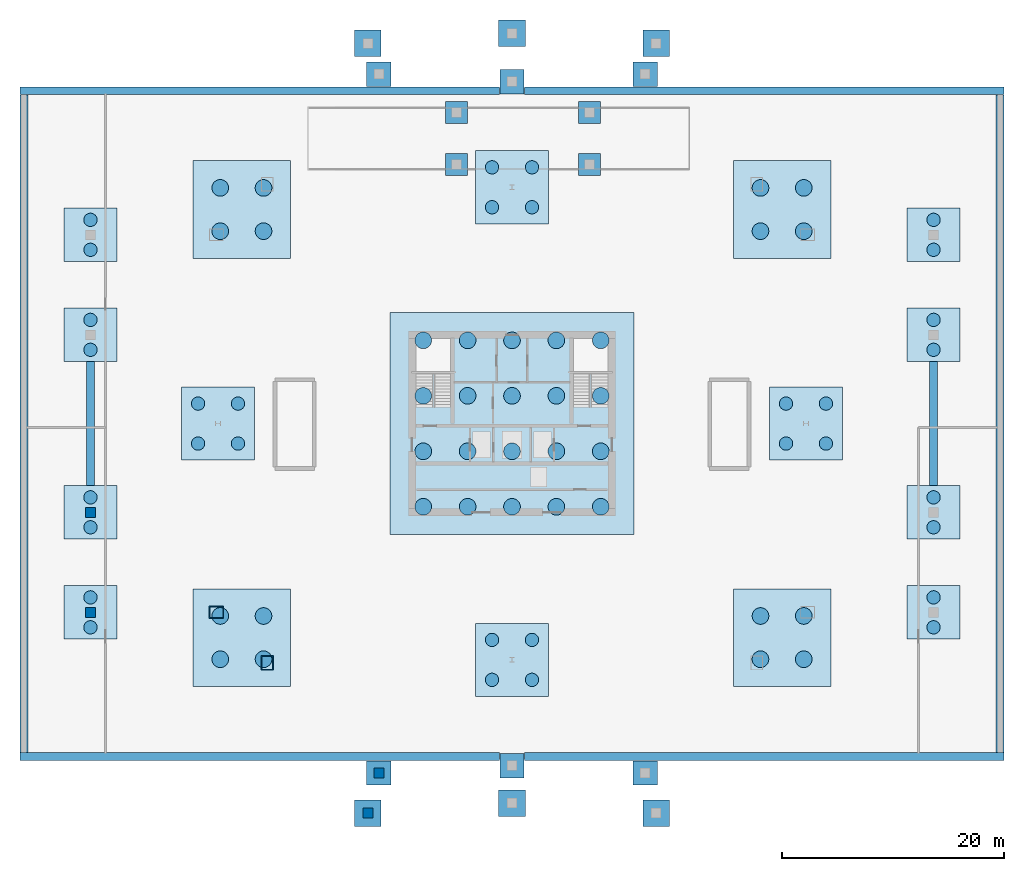
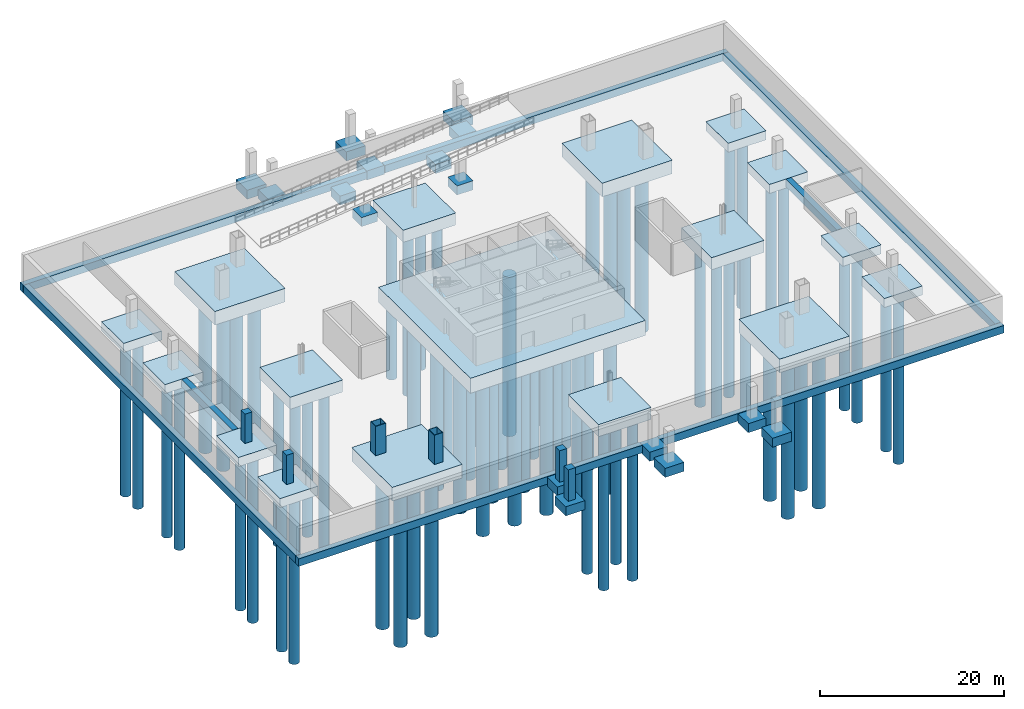
# One storey, part 1 of 7: 68 piles, 41 footings, 6 columns.
"""IFC4 building model written with IfcOpenShell, lengths in metres."""

from ifc_helpers import new_model, si_unit, direction, frame, origin, origin_2d, place, context, subcontext, project, spatial, polyline, rectangle, hollow_rectangle, circle, outline, extrude, material, material_profile, profile_set, type_object, element, save


model = new_model("IFC4")

# Units and contexts
model_context = context("Model", 3, precision=1e-05, world=origin(), true_north=direction((0.0, 1.0)))
body_context = subcontext(model_context, "Body", "Model", "MODEL_VIEW")
ifc_project = project(units=[si_unit("LENGTHUNIT", "METRE"), si_unit("AREAUNIT", "SQUARE_METRE"), si_unit("VOLUMEUNIT", "CUBIC_METRE"), si_unit("PLANEANGLEUNIT", "RADIAN"), si_unit("MASSUNIT", "GRAM", prefix="KILO")], contexts=[model_context])

# Site, building, storey
site_placement = place(None, origin())
site = spatial("IfcSite", under=ifc_project, at=site_placement, CompositionType="ELEMENT")
building_placement = place(site_placement, origin())
building = spatial("IfcBuilding", under=site, at=building_placement, Name="Caelvoria Tower", CompositionType="ELEMENT")
storey_placement = place(building_placement, frame((0.0, 0.0, -8.39990234375)))
storey = spatial("IfcBuildingStorey", under=building, at=storey_placement, Name="B2", CompositionType="ELEMENT", Elevation=-8.39990234375)

# Piles
ifc_material_1 = material(Name="Concrete C40/50", Category="concrete")
ifc_material_profile_1 = material_profile(ifc_material_1, circle(Radius=0.60009765625, at=origin_2d()), Name="Concrete C40/50")
ifc_profile_set_1 = profile_set([ifc_material_profile_1], Name="PILE_D1200 - Concrete C40/50")
pile_type_1 = type_object("IfcPileType", Name="Bored Pile D1200 Concrete C40/50", PredefinedType="BORED", material=ifc_profile_set_1)
for number, where, z_axis, x_axis, name in (
    (1, (44.199951171875, 8.89990234375, -1.5), (0.0, 0.0, -1.0), (1.0, 0.0, 0.0), "Cardinal Cap Bored Pile 37"),
    (2, (44.199951171875, 12.5, -1.5), (0.0, 0.0, -1.0), (1.0, 0.0, 0.0), "Cardinal Cap Bored Pile 38"),
    (3, (47.800048828125, 8.89990234375, -1.5), (0.0, 0.0, -1.0), (1.0, 0.0, 0.0), "Cardinal Cap Bored Pile 39"),
    (4, (47.800048828125, 12.5, -1.5), (0.0, 0.0, -1.0), (1.0, 0.0, 0.0), "Cardinal Cap Bored Pile 40"),
    (5, (70.699951171875, 30.199951171875, -1.5), (0.0, 0.0, -1.0), (1.0, 0.0, 0.0), "Cardinal Cap Bored Pile 41"),
    (6, (70.699951171875, 33.800048828125, -1.5), (0.0, 0.0, -1.0), (1.0, 0.0, 0.0), "Cardinal Cap Bored Pile 42"),
    (7, (74.300048828125, 30.199951171875, -1.5), (0.0, 0.0, -1.0), (1.0, 0.0, 0.0), "Cardinal Cap Bored Pile 43"),
    (8, (74.300048828125, 33.800048828125, -1.5), (0.0, 0.0, -1.0), (1.0, 0.0, 0.0), "Cardinal Cap Bored Pile 44"),
    (9, (44.199951171875, 51.5, -1.5), (0.0, 0.0, -1.0), (1.0, 0.0, 0.0), "Cardinal Cap Bored Pile 45"),
    (10, (44.199951171875, 55.10009765625, -1.5), (0.0, 0.0, -1.0), (1.0, 0.0, 0.0), "Cardinal Cap Bored Pile 46"),
    (11, (47.800048828125, 51.5, -1.5), (0.0, 0.0, -1.0), (1.0, 0.0, 0.0), "Cardinal Cap Bored Pile 47"),
    (12, (47.800048828125, 55.10009765625, -1.5), (0.0, 0.0, -1.0), (1.0, 0.0, 0.0), "Cardinal Cap Bored Pile 48"),
    (13, (17.699951171875, 30.199951171875, -1.5), (0.0, 0.0, -1.0), (1.0, 0.0, 0.0), "Cardinal Cap Bored Pile 49"),
    (14, (17.699951171875, 33.800048828125, -1.5), (0.0, 0.0, -1.0), (1.0, 0.0, 0.0), "Cardinal Cap Bored Pile 50"),
    (15, (21.300048828125, 30.199951171875, -1.5), (0.0, 0.0, -1.0), (1.0, 0.0, 0.0), "Cardinal Cap Bored Pile 51"),
    (16, (21.300048828125, 33.800048828125, -1.5), (0.0, 0.0, -1.0), (1.0, 0.0, 0.0), "Cardinal Cap Bored Pile 52"),
):
    element("IfcPile", number, at=place(storey_placement, frame(where, z_axis=z_axis, x_axis=x_axis)), inside=storey, type_object=pile_type_1, Name=name, PredefinedType="BORED", context=body_context, shape_type="SweptSolid", body=[
        extrude(circle(Radius=0.60009765625, at=origin_2d()), origin(), (0.0, 0.0, 1.0), 21.60009765625),
    ])
for number, where, z_axis, x_axis, name in (
    (17, (8.0, 13.634521484375, -1.10009765625), (0.0, 0.0, -1.0), (1.0, 0.0, 0.0), "Podium Bored Pile 53"),
    (18, (8.0, 16.33447265625, -1.10009765625), (0.0, 0.0, -1.0), (1.0, 0.0, 0.0), "Podium Bored Pile 54"),
    (19, (8.0, 22.64990234375, -1.10009765625), (0.0, 0.0, -1.0), (1.0, 0.0, 0.0), "Podium Bored Pile 55"),
    (20, (8.0, 25.35009765625, -1.10009765625), (0.0, 0.0, -1.0), (1.0, 0.0, 0.0), "Podium Bored Pile 56"),
    (21, (8.0, 38.64990234375, -1.10009765625), (0.0, 0.0, -1.0), (1.0, 0.0, 0.0), "Podium Bored Pile 57"),
    (22, (8.0, 41.35009765625, -1.10009765625), (0.0, 0.0, -1.0), (1.0, 0.0, 0.0), "Podium Bored Pile 58"),
    (23, (8.0, 47.66552734375, -1.10009765625), (0.0, 0.0, -1.0), (1.0, 0.0, 0.0), "Podium Bored Pile 59"),
    (24, (8.0, 50.365478515625, -1.10009765625), (0.0, 0.0, -1.0), (1.0, 0.0, 0.0), "Podium Bored Pile 60"),
    (25, (84.0, 13.634521484375, -1.10009765625), (0.0, 0.0, -1.0), (1.0, 0.0, 0.0), "Podium Bored Pile 61"),
    (26, (84.0, 16.33447265625, -1.10009765625), (0.0, 0.0, -1.0), (1.0, 0.0, 0.0), "Podium Bored Pile 62"),
    (27, (84.0, 22.64990234375, -1.10009765625), (0.0, 0.0, -1.0), (1.0, 0.0, 0.0), "Podium Bored Pile 63"),
    (28, (84.0, 25.35009765625, -1.10009765625), (0.0, 0.0, -1.0), (1.0, 0.0, 0.0), "Podium Bored Pile 64"),
    (29, (84.0, 38.64990234375, -1.10009765625), (0.0, 0.0, -1.0), (1.0, 0.0, 0.0), "Podium Bored Pile 65"),
    (30, (84.0, 41.35009765625, -1.10009765625), (0.0, 0.0, -1.0), (1.0, 0.0, 0.0), "Podium Bored Pile 66"),
    (31, (84.0, 47.66552734375, -1.10009765625), (0.0, 0.0, -1.0), (1.0, 0.0, 0.0), "Podium Bored Pile 67"),
    (32, (84.0, 50.365478515625, -1.10009765625), (0.0, 0.0, -1.0), (1.0, 0.0, 0.0), "Podium Bored Pile 68"),
):
    element("IfcPile", number, at=place(storey_placement, frame(where, z_axis=z_axis, x_axis=x_axis)), inside=storey, type_object=pile_type_1, Name=name, PredefinedType="BORED", context=body_context, shape_type="SweptSolid", body=[
        extrude(circle(Radius=0.60009765625, at=origin_2d()), origin(), (0.0, 0.0, 1.0), 22.0),
    ])
ifc_material_profile_2 = material_profile(ifc_material_1, circle(Radius=0.75, at=origin_2d()), Name="Concrete C40/50")
ifc_profile_set_2 = profile_set([ifc_material_profile_2], Name="PILE_D1500 - Concrete C40/50")
pile_type_2 = type_object("IfcPileType", Name="Bored Pile D1500 Concrete C40/50", PredefinedType="BORED", material=ifc_profile_set_2)
for number, where, z_axis, x_axis, name in (
    (33, (38.0, 24.5, -1.900146484375), (0.0, 0.0, -1.0), (1.0, 0.0, 0.0), "Core Bored Pile 01"),
    (34, (38.0, 29.5, -1.900146484375), (0.0, 0.0, -1.0), (1.0, 0.0, 0.0), "Core Bored Pile 02"),
    (35, (38.0, 34.5, -1.900146484375), (0.0, 0.0, -1.0), (1.0, 0.0, 0.0), "Core Bored Pile 03"),
    (36, (38.0, 39.5, -1.900146484375), (0.0, 0.0, -1.0), (1.0, 0.0, 0.0), "Core Bored Pile 04"),
    (37, (42.0, 24.5, -1.900146484375), (0.0, 0.0, -1.0), (1.0, 0.0, 0.0), "Core Bored Pile 05"),
    (38, (42.0, 29.5, -1.900146484375), (0.0, 0.0, -1.0), (1.0, 0.0, 0.0), "Core Bored Pile 06"),
    (39, (42.0, 34.5, -1.900146484375), (0.0, 0.0, -1.0), (1.0, 0.0, 0.0), "Core Bored Pile 07"),
    (40, (42.0, 39.5, -1.900146484375), (0.0, 0.0, -1.0), (1.0, 0.0, 0.0), "Core Bored Pile 08"),
    (41, (46.0, 24.5, -1.900146484375), (0.0, 0.0, -1.0), (1.0, 0.0, 0.0), "Core Bored Pile 09"),
    (42, (46.0, 29.5, -1.900146484375), (0.0, 0.0, -1.0), (1.0, 0.0, 0.0), "Core Bored Pile 10"),
    (43, (46.0, 34.5, -1.900146484375), (0.0, 0.0, -1.0), (1.0, 0.0, 0.0), "Core Bored Pile 11"),
    (44, (46.0, 39.5, -1.900146484375), (0.0, 0.0, -1.0), (1.0, 0.0, 0.0), "Core Bored Pile 12"),
    (45, (50.0, 24.5, -1.900146484375), (0.0, 0.0, -1.0), (1.0, 0.0, 0.0), "Core Bored Pile 13"),
    (46, (50.0, 29.5, -1.900146484375), (0.0, 0.0, -1.0), (1.0, 0.0, 0.0), "Core Bored Pile 14"),
    (47, (50.0, 34.5, -1.900146484375), (0.0, 0.0, -1.0), (1.0, 0.0, 0.0), "Core Bored Pile 15"),
    (48, (50.0, 39.5, -1.900146484375), (0.0, 0.0, -1.0), (1.0, 0.0, 0.0), "Core Bored Pile 16"),
    (49, (54.0, 24.5, -1.900146484375), (0.0, 0.0, -1.0), (1.0, 0.0, 0.0), "Core Bored Pile 17"),
    (50, (54.0, 29.5, -1.900146484375), (0.0, 0.0, -1.0), (1.0, 0.0, 0.0), "Core Bored Pile 18"),
    (51, (54.0, 34.5, -1.900146484375), (0.0, 0.0, -1.0), (1.0, 0.0, 0.0), "Core Bored Pile 19"),
    (52, (54.0, 39.5, -1.900146484375), (0.0, 0.0, -1.0), (1.0, 0.0, 0.0), "Core Bored Pile 20"),
):
    element("IfcPile", number, at=place(storey_placement, frame(where, z_axis=z_axis, x_axis=x_axis)), inside=storey, type_object=pile_type_2, Name=name, PredefinedType="BORED", context=body_context, shape_type="SweptSolid", body=[
        extrude(circle(Radius=0.75, at=origin_2d()), origin(), (0.0, 0.0, 1.0), 21.199951171875),
    ])
for number, where, z_axis, x_axis, name in (
    (53, (19.700927734375, 10.7568359375, -1.7001953125), (0.0, 0.0, -1.0), (1.0, 0.0, 0.0), "Mega Cap Bored Pile 21"),
    (54, (19.700927734375, 14.65673828125, -1.7001953125), (0.0, 0.0, -1.0), (1.0, 0.0, 0.0), "Mega Cap Bored Pile 22"),
    (55, (23.60107421875, 10.7568359375, -1.7001953125), (0.0, 0.0, -1.0), (1.0, 0.0, 0.0), "Mega Cap Bored Pile 23"),
    (56, (23.60107421875, 14.65673828125, -1.7001953125), (0.0, 0.0, -1.0), (1.0, 0.0, 0.0), "Mega Cap Bored Pile 24"),
    (57, (68.399169921875, 10.7568359375, -1.7001953125), (0.0, 0.0, -1.0), (1.0, 0.0, 0.0), "Mega Cap Bored Pile 25"),
    (58, (68.399169921875, 14.65673828125, -1.7001953125), (0.0, 0.0, -1.0), (1.0, 0.0, 0.0), "Mega Cap Bored Pile 26"),
    (59, (72.299072265625, 10.7568359375, -1.7001953125), (0.0, 0.0, -1.0), (1.0, 0.0, 0.0), "Mega Cap Bored Pile 27"),
    (60, (72.299072265625, 14.65673828125, -1.7001953125), (0.0, 0.0, -1.0), (1.0, 0.0, 0.0), "Mega Cap Bored Pile 28"),
    (61, (68.399169921875, 49.343017578125, -1.7001953125), (0.0, 0.0, -1.0), (1.0, 0.0, 0.0), "Mega Cap Bored Pile 29"),
    (62, (68.399169921875, 53.2431640625, -1.7001953125), (0.0, 0.0, -1.0), (1.0, 0.0, 0.0), "Mega Cap Bored Pile 30"),
    (63, (72.299072265625, 49.343017578125, -1.7001953125), (0.0, 0.0, -1.0), (1.0, 0.0, 0.0), "Mega Cap Bored Pile 31"),
    (64, (72.299072265625, 53.2431640625, -1.7001953125), (0.0, 0.0, -1.0), (1.0, 0.0, 0.0), "Mega Cap Bored Pile 32"),
    (65, (19.700927734375, 49.343017578125, -1.7001953125), (0.0, 0.0, -1.0), (1.0, 0.0, 0.0), "Mega Cap Bored Pile 33"),
    (66, (19.700927734375, 53.2431640625, -1.7001953125), (0.0, 0.0, -1.0), (1.0, 0.0, 0.0), "Mega Cap Bored Pile 34"),
    (67, (23.60107421875, 49.343017578125, -1.7001953125), (0.0, 0.0, -1.0), (1.0, 0.0, 0.0), "Mega Cap Bored Pile 35"),
    (68, (23.60107421875, 53.2431640625, -1.7001953125), (0.0, 0.0, -1.0), (1.0, 0.0, 0.0), "Mega Cap Bored Pile 36"),
):
    element("IfcPile", number, at=place(storey_placement, frame(where, z_axis=z_axis, x_axis=x_axis)), inside=storey, type_object=pile_type_2, Name=name, PredefinedType="BORED", context=body_context, shape_type="SweptSolid", body=[
        extrude(circle(Radius=0.75, at=origin_2d()), origin(), (0.0, 0.0, 1.0), 21.39990234375),
    ])

# Footings
footing_type_1 = type_object("IfcFootingType", Name="Core Piled Raft Mat Cap 2400", PredefinedType="PILE_CAP", material=ifc_material_1)
footing_1_placement = place(storey_placement, frame((0.0, 0.0, -2.0)))
element("IfcFooting", 69, at=footing_1_placement, inside=storey, type_object=footing_type_1, Name="Core Piled Raft Mat Cap", PredefinedType="PILE_CAP", context=body_context, shape_type="SweptSolid", body=[
    extrude(outline(polyline([(35.0, 22.0), (57.0, 22.0), (57.0, 42.0), (35.0, 42.0), (35.0, 22.0)])), origin(), (0.0, 0.0, 1.0), 2.0),
])
footing_type_2 = type_object("IfcFootingType", Name="Corner Combined Mega Pile Cap 8800x8800x1800", PredefinedType="PILE_CAP", material=ifc_material_1)
footing_2_placement = place(storey_placement, frame((0.0, 0.0, -1.800048828125)))
element("IfcFooting", 70, at=footing_2_placement, inside=storey, type_object=footing_type_2, Name="Corner Mega Pile Cap SW", PredefinedType="PILE_CAP", context=body_context, shape_type="SweptSolid", body=[
    extrude(outline(polyline([(17.2509765625, 8.306884765625), (26.051025390625, 8.306884765625), (26.051025390625, 17.106689453125), (17.2509765625, 17.106689453125), (17.2509765625, 8.306884765625)])), origin(), (0.0, 0.0, 1.0), 1.800048828125),
])
footing_3_placement = place(storey_placement, frame((0.0, 0.0, -1.800048828125)))
element("IfcFooting", 71, at=footing_3_placement, inside=storey, type_object=footing_type_2, Name="Corner Mega Pile Cap SE", PredefinedType="PILE_CAP", context=body_context, shape_type="SweptSolid", body=[
    extrude(outline(polyline([(65.94921875, 8.306884765625), (74.7490234375, 8.306884765625), (74.7490234375, 17.106689453125), (65.94921875, 17.106689453125), (65.94921875, 8.306884765625)])), origin(), (0.0, 0.0, 1.0), 1.800048828125),
])
footing_4_placement = place(storey_placement, frame((0.0, 0.0, -1.800048828125)))
element("IfcFooting", 72, at=footing_4_placement, inside=storey, type_object=footing_type_2, Name="Corner Mega Pile Cap NE", PredefinedType="PILE_CAP", context=body_context, shape_type="SweptSolid", body=[
    extrude(outline(polyline([(65.94921875, 46.89306640625), (74.7490234375, 46.89306640625), (74.7490234375, 55.693115234375), (65.94921875, 55.693115234375), (65.94921875, 46.89306640625)])), origin(), (0.0, 0.0, 1.0), 1.800048828125),
])
footing_5_placement = place(storey_placement, frame((0.0, 0.0, -1.800048828125)))
element("IfcFooting", 73, at=footing_5_placement, inside=storey, type_object=footing_type_2, Name="Corner Mega Pile Cap NW", PredefinedType="PILE_CAP", context=body_context, shape_type="SweptSolid", body=[
    extrude(outline(polyline([(17.2509765625, 46.89306640625), (26.051025390625, 46.89306640625), (26.051025390625, 55.693115234375), (17.2509765625, 55.693115234375), (17.2509765625, 46.89306640625)])), origin(), (0.0, 0.0, 1.0), 1.800048828125),
])
ifc_material_profile_3 = material_profile(ifc_material_1, rectangle(XDim=0.699951171875, YDim=1.0, at=origin_2d()), Name="Concrete C40/50")
ifc_profile_set_3 = profile_set([ifc_material_profile_3], Name="RC_GB_700X1000 - Concrete C40/50")
footing_type_3 = type_object("IfcFootingType", Name="Foundation Tie Beam 700x1000", PredefinedType="FOOTING_BEAM", material=ifc_profile_set_3)
for number, where, z_axis, x_axis, name in (
    (74, (1.64990234375, 2.0, -0.5), (1.0, 0.0, 0.0), (0.0, 1.0, 0.0), "Substructure Tie Footing S1"),
    (75, (47.1201171875, 2.0, -0.5), (1.0, 0.0, 0.0), (0.0, 1.0, 0.0), "Substructure Tie Footing S2"),
):
    element("IfcFooting", number, at=place(storey_placement, frame(where, z_axis=z_axis, x_axis=x_axis)), inside=storey, type_object=footing_type_3, Name=name, PredefinedType="FOOTING_BEAM", context=body_context, shape_type="SweptSolid", body=[
        extrude(rectangle(XDim=0.699951171875, YDim=1.0, at=origin_2d()), origin(), (0.0, 0.0, 1.0), 43.22998046875),
    ])
footing_6_placement = place(storey_placement, frame((90.0, 2.3701171875, -0.5), z_axis=(0.0, 1.0, 0.0), x_axis=(-1.0, 0.0, 0.0)))
element("IfcFooting", 76, at=footing_6_placement, inside=storey, type_object=footing_type_3, Name="Substructure Tie Footing E", PredefinedType="FOOTING_BEAM", context=body_context, shape_type="SweptSolid", body=[
    extrude(rectangle(XDim=0.699951171875, YDim=1.0, at=origin_2d()), origin(), (0.0, 0.0, 1.0), 59.259765625),
])
for number, where, z_axis, x_axis, name in (
    (77, (90.35009765625, 62.0, -0.5), (-1.0, 0.0, 0.0), (0.0, -1.0, 0.0), "Substructure Tie Footing N1"),
    (78, (44.8798828125, 62.0, -0.5), (-1.0, 0.0, 0.0), (0.0, -1.0, 0.0), "Substructure Tie Footing N2"),
):
    element("IfcFooting", number, at=place(storey_placement, frame(where, z_axis=z_axis, x_axis=x_axis)), inside=storey, type_object=footing_type_3, Name=name, PredefinedType="FOOTING_BEAM", context=body_context, shape_type="SweptSolid", body=[
        extrude(rectangle(XDim=0.699951171875, YDim=1.0, at=origin_2d()), origin(), (0.0, 0.0, 1.0), 43.22998046875),
    ])
footing_7_placement = place(storey_placement, frame((2.0, 61.6298828125, -0.5), z_axis=(0.0, -1.0, 0.0), x_axis=(1.0, 0.0, 0.0)))
element("IfcFooting", 79, at=footing_7_placement, inside=storey, type_object=footing_type_3, Name="Substructure Tie Footing W", PredefinedType="FOOTING_BEAM", context=body_context, shape_type="SweptSolid", body=[
    extrude(rectangle(XDim=0.699951171875, YDim=1.0, at=origin_2d()), origin(), (0.0, 0.0, 1.0), 59.259765625),
])
for number, where, z_axis, x_axis, name in (
    (80, (8.0, 26.419921875, -0.5), (0.0, 1.0, 0.0), (-1.0, 0.0, 0.0), "Substructure Tie Footing TW"),
    (81, (84.0, 26.419921875, -0.5), (0.0, 1.0, 0.0), (-1.0, 0.0, 0.0), "Substructure Tie Footing TE"),
):
    element("IfcFooting", number, at=place(storey_placement, frame(where, z_axis=z_axis, x_axis=x_axis)), inside=storey, type_object=footing_type_3, Name=name, PredefinedType="FOOTING_BEAM", context=body_context, shape_type="SweptSolid", body=[
        extrude(rectangle(XDim=0.699951171875, YDim=1.0, at=origin_2d()), origin(), (0.0, 0.0, 1.0), 11.16015625),
    ])
footing_type_4 = type_object("IfcFootingType", Name="Megaframe Pile Cap 6600x6600x1600", PredefinedType="PILE_CAP", material=ifc_material_1)
footing_8_placement = place(storey_placement, frame((0.0, 0.0, -1.60009765625)))
element("IfcFooting", 82, at=footing_8_placement, inside=storey, type_object=footing_type_4, Name="Cardinal Mega Pile Cap S", PredefinedType="PILE_CAP", context=body_context, shape_type="SweptSolid", body=[
    extrude(outline(polyline([(42.699951171875, 7.39990234375), (49.300048828125, 7.39990234375), (49.300048828125, 14.0), (42.699951171875, 14.0), (42.699951171875, 7.39990234375)])), origin(), (0.0, 0.0, 1.0), 1.60009765625),
])
footing_9_placement = place(storey_placement, frame((0.0, 0.0, -1.60009765625)))
element("IfcFooting", 83, at=footing_9_placement, inside=storey, type_object=footing_type_4, Name="Cardinal Mega Pile Cap E", PredefinedType="PILE_CAP", context=body_context, shape_type="SweptSolid", body=[
    extrude(outline(polyline([(69.199951171875, 28.699951171875), (75.800048828125, 28.699951171875), (75.800048828125, 35.300048828125), (69.199951171875, 35.300048828125), (69.199951171875, 28.699951171875)])), origin(), (0.0, 0.0, 1.0), 1.60009765625),
])
footing_10_placement = place(storey_placement, frame((0.0, 0.0, -1.60009765625)))
element("IfcFooting", 84, at=footing_10_placement, inside=storey, type_object=footing_type_4, Name="Cardinal Mega Pile Cap N", PredefinedType="PILE_CAP", context=body_context, shape_type="SweptSolid", body=[
    extrude(outline(polyline([(42.699951171875, 50.0), (49.300048828125, 50.0), (49.300048828125, 56.60009765625), (42.699951171875, 56.60009765625), (42.699951171875, 50.0)])), origin(), (0.0, 0.0, 1.0), 1.60009765625),
])
footing_11_placement = place(storey_placement, frame((0.0, 0.0, -1.60009765625)))
element("IfcFooting", 85, at=footing_11_placement, inside=storey, type_object=footing_type_4, Name="Cardinal Mega Pile Cap W", PredefinedType="PILE_CAP", context=body_context, shape_type="SweptSolid", body=[
    extrude(outline(polyline([(16.199951171875, 28.699951171875), (22.800048828125, 28.699951171875), (22.800048828125, 35.300048828125), (16.199951171875, 35.300048828125), (16.199951171875, 28.699951171875)])), origin(), (0.0, 0.0, 1.0), 1.60009765625),
])
footing_type_5 = type_object("IfcFootingType", Name="Podium Pile Cap 4800x4800x1200", PredefinedType="PILE_CAP", material=ifc_material_1)
footing_12_placement = place(storey_placement, frame((0.0, 0.0, -1.2001953125)))
element("IfcFooting", 86, at=footing_12_placement, inside=storey, type_object=footing_type_5, Name="Podium Wing Pile Cap 01", PredefinedType="PILE_CAP", context=body_context, shape_type="SweptSolid", body=[
    extrude(outline(polyline([(5.60009765625, 12.58447265625), (10.39990234375, 12.58447265625), (10.39990234375, 17.384521484375), (5.60009765625, 17.384521484375), (5.60009765625, 12.58447265625)])), origin(), (0.0, 0.0, 1.0), 1.2001953125),
])
footing_13_placement = place(storey_placement, frame((0.0, 0.0, -1.2001953125)))
element("IfcFooting", 87, at=footing_13_placement, inside=storey, type_object=footing_type_5, Name="Podium Wing Pile Cap 02", PredefinedType="PILE_CAP", context=body_context, shape_type="SweptSolid", body=[
    extrude(outline(polyline([(5.60009765625, 21.60009765625), (10.39990234375, 21.60009765625), (10.39990234375, 26.39990234375), (5.60009765625, 26.39990234375), (5.60009765625, 21.60009765625)])), origin(), (0.0, 0.0, 1.0), 1.2001953125),
])
footing_14_placement = place(storey_placement, frame((0.0, 0.0, -1.2001953125)))
element("IfcFooting", 88, at=footing_14_placement, inside=storey, type_object=footing_type_5, Name="Podium Wing Pile Cap 03", PredefinedType="PILE_CAP", context=body_context, shape_type="SweptSolid", body=[
    extrude(outline(polyline([(5.60009765625, 37.60009765625), (10.39990234375, 37.60009765625), (10.39990234375, 42.39990234375), (5.60009765625, 42.39990234375), (5.60009765625, 37.60009765625)])), origin(), (0.0, 0.0, 1.0), 1.2001953125),
])
footing_15_placement = place(storey_placement, frame((0.0, 0.0, -1.2001953125)))
element("IfcFooting", 89, at=footing_15_placement, inside=storey, type_object=footing_type_5, Name="Podium Wing Pile Cap 04", PredefinedType="PILE_CAP", context=body_context, shape_type="SweptSolid", body=[
    extrude(outline(polyline([(5.60009765625, 46.615478515625), (10.39990234375, 46.615478515625), (10.39990234375, 51.41552734375), (5.60009765625, 51.41552734375), (5.60009765625, 46.615478515625)])), origin(), (0.0, 0.0, 1.0), 1.2001953125),
])
footing_16_placement = place(storey_placement, frame((0.0, 0.0, -1.2001953125)))
element("IfcFooting", 90, at=footing_16_placement, inside=storey, type_object=footing_type_5, Name="Podium Wing Pile Cap 05", PredefinedType="PILE_CAP", context=body_context, shape_type="SweptSolid", body=[
    extrude(outline(polyline([(81.60009765625, 12.58447265625), (86.39990234375, 12.58447265625), (86.39990234375, 17.384521484375), (81.60009765625, 17.384521484375), (81.60009765625, 12.58447265625)])), origin(), (0.0, 0.0, 1.0), 1.2001953125),
])
footing_17_placement = place(storey_placement, frame((0.0, 0.0, -1.2001953125)))
element("IfcFooting", 91, at=footing_17_placement, inside=storey, type_object=footing_type_5, Name="Podium Wing Pile Cap 06", PredefinedType="PILE_CAP", context=body_context, shape_type="SweptSolid", body=[
    extrude(outline(polyline([(81.60009765625, 21.60009765625), (86.39990234375, 21.60009765625), (86.39990234375, 26.39990234375), (81.60009765625, 26.39990234375), (81.60009765625, 21.60009765625)])), origin(), (0.0, 0.0, 1.0), 1.2001953125),
])
footing_18_placement = place(storey_placement, frame((0.0, 0.0, -1.2001953125)))
element("IfcFooting", 92, at=footing_18_placement, inside=storey, type_object=footing_type_5, Name="Podium Wing Pile Cap 07", PredefinedType="PILE_CAP", context=body_context, shape_type="SweptSolid", body=[
    extrude(outline(polyline([(81.60009765625, 37.60009765625), (86.39990234375, 37.60009765625), (86.39990234375, 42.39990234375), (81.60009765625, 42.39990234375), (81.60009765625, 37.60009765625)])), origin(), (0.0, 0.0, 1.0), 1.2001953125),
])
footing_19_placement = place(storey_placement, frame((0.0, 0.0, -1.2001953125)))
element("IfcFooting", 93, at=footing_19_placement, inside=storey, type_object=footing_type_5, Name="Podium Wing Pile Cap 08", PredefinedType="PILE_CAP", context=body_context, shape_type="SweptSolid", body=[
    extrude(outline(polyline([(81.60009765625, 46.615478515625), (86.39990234375, 46.615478515625), (86.39990234375, 51.41552734375), (81.60009765625, 51.41552734375), (81.60009765625, 46.615478515625)])), origin(), (0.0, 0.0, 1.0), 1.2001953125),
])
footing_20_placement = place(storey_placement, frame((0.0, 0.0, -1.2001953125)))
element("IfcFooting", 94, at=footing_20_placement, inside=storey, type_object=footing_type_5, Name="Accessible Ramp Landing Footing S1", PredefinedType="PILE_CAP", context=body_context, shape_type="SweptSolid", body=[
    extrude(outline(polyline([(31.800048828125, -4.320068359375), (34.199951171875, -4.320068359375), (34.199951171875, -1.919921875), (31.800048828125, -1.919921875), (31.800048828125, -4.320068359375)])), origin(), (0.0, 0.0, 1.0), 1.2001953125),
])
footing_21_placement = place(storey_placement, frame((0.0, 0.0, -1.2001953125)))
element("IfcFooting", 95, at=footing_21_placement, inside=storey, type_object=footing_type_5, Name="Accessible Ramp Landing Footing S2", PredefinedType="PILE_CAP", context=body_context, shape_type="SweptSolid", body=[
    extrude(outline(polyline([(44.800048828125, -3.419921875), (47.199951171875, -3.419921875), (47.199951171875, -1.02001953125), (44.800048828125, -1.02001953125), (44.800048828125, -3.419921875)])), origin(), (0.0, 0.0, 1.0), 1.2001953125),
])
footing_22_placement = place(storey_placement, frame((0.0, 0.0, -1.2001953125)))
element("IfcFooting", 96, at=footing_22_placement, inside=storey, type_object=footing_type_5, Name="Accessible Ramp Landing Footing S3", PredefinedType="PILE_CAP", context=body_context, shape_type="SweptSolid", body=[
    extrude(outline(polyline([(57.800048828125, -4.320068359375), (60.199951171875, -4.320068359375), (60.199951171875, -1.919921875), (57.800048828125, -1.919921875), (57.800048828125, -4.320068359375)])), origin(), (0.0, 0.0, 1.0), 1.2001953125),
])
footing_23_placement = place(storey_placement, frame((0.0, 0.0, -1.2001953125)))
element("IfcFooting", 97, at=footing_23_placement, inside=storey, type_object=footing_type_5, Name="Plaza Threshold Footing S1", PredefinedType="PILE_CAP", context=body_context, shape_type="SweptSolid", body=[
    extrude(outline(polyline([(32.89990234375, -0.60009765625), (35.10009765625, -0.60009765625), (35.10009765625, 1.60009765625), (32.89990234375, 1.60009765625), (32.89990234375, -0.60009765625)])), origin(), (0.0, 0.0, 1.0), 1.2001953125),
])
footing_24_placement = place(storey_placement, frame((0.0, 0.0, -1.2001953125)))
element("IfcFooting", 98, at=footing_24_placement, inside=storey, type_object=footing_type_5, Name="Plaza Threshold Footing S2", PredefinedType="PILE_CAP", context=body_context, shape_type="SweptSolid", body=[
    extrude(outline(polyline([(44.89990234375, 0.070068359375), (47.10009765625, 0.070068359375), (47.10009765625, 2.27001953125), (44.89990234375, 2.27001953125), (44.89990234375, 0.070068359375)])), origin(), (0.0, 0.0, 1.0), 1.2001953125),
])
footing_25_placement = place(storey_placement, frame((0.0, 0.0, -1.2001953125)))
element("IfcFooting", 99, at=footing_25_placement, inside=storey, type_object=footing_type_5, Name="Plaza Threshold Footing S3", PredefinedType="PILE_CAP", context=body_context, shape_type="SweptSolid", body=[
    extrude(outline(polyline([(56.89990234375, -0.60009765625), (59.10009765625, -0.60009765625), (59.10009765625, 1.60009765625), (56.89990234375, 1.60009765625), (56.89990234375, -0.60009765625)])), origin(), (0.0, 0.0, 1.0), 1.2001953125),
])
footing_26_placement = place(storey_placement, frame((0.0, 0.0, -1.2001953125)))
element("IfcFooting", 100, at=footing_26_placement, inside=storey, type_object=footing_type_5, Name="Accessible Ramp Landing Footing N1", PredefinedType="PILE_CAP", context=body_context, shape_type="SweptSolid", body=[
    extrude(outline(polyline([(31.800048828125, 65.080078125), (34.199951171875, 65.080078125), (34.199951171875, 67.47998046875), (31.800048828125, 67.47998046875), (31.800048828125, 65.080078125)])), origin(), (0.0, 0.0, 1.0), 1.2001953125),
])
footing_27_placement = place(storey_placement, frame((0.0, 0.0, -1.2001953125)))
element("IfcFooting", 101, at=footing_27_placement, inside=storey, type_object=footing_type_5, Name="Accessible Ramp Landing Footing N2", PredefinedType="PILE_CAP", context=body_context, shape_type="SweptSolid", body=[
    extrude(outline(polyline([(44.800048828125, 65.97998046875), (47.199951171875, 65.97998046875), (47.199951171875, 68.3798828125), (44.800048828125, 68.3798828125), (44.800048828125, 65.97998046875)])), origin(), (0.0, 0.0, 1.0), 1.2001953125),
])
footing_28_placement = place(storey_placement, frame((0.0, 0.0, -1.2001953125)))
element("IfcFooting", 102, at=footing_28_placement, inside=storey, type_object=footing_type_5, Name="Accessible Ramp Landing Footing N3", PredefinedType="PILE_CAP", context=body_context, shape_type="SweptSolid", body=[
    extrude(outline(polyline([(57.800048828125, 65.080078125), (60.199951171875, 65.080078125), (60.199951171875, 67.47998046875), (57.800048828125, 67.47998046875), (57.800048828125, 65.080078125)])), origin(), (0.0, 0.0, 1.0), 1.2001953125),
])
footing_29_placement = place(storey_placement, frame((0.0, 0.0, -1.2001953125)))
element("IfcFooting", 103, at=footing_29_placement, inside=storey, type_object=footing_type_5, Name="Plaza Threshold Footing N1", PredefinedType="PILE_CAP", context=body_context, shape_type="SweptSolid", body=[
    extrude(outline(polyline([(32.89990234375, 62.39990234375), (35.10009765625, 62.39990234375), (35.10009765625, 64.60009765625), (32.89990234375, 64.60009765625), (32.89990234375, 62.39990234375)])), origin(), (0.0, 0.0, 1.0), 1.2001953125),
])
footing_30_placement = place(storey_placement, frame((0.0, 0.0, -1.2001953125)))
element("IfcFooting", 104, at=footing_30_placement, inside=storey, type_object=footing_type_5, Name="Plaza Threshold Footing N2", PredefinedType="PILE_CAP", context=body_context, shape_type="SweptSolid", body=[
    extrude(outline(polyline([(44.89990234375, 61.72998046875), (47.10009765625, 61.72998046875), (47.10009765625, 63.929931640625), (44.89990234375, 63.929931640625), (44.89990234375, 61.72998046875)])), origin(), (0.0, 0.0, 1.0), 1.2001953125),
])
footing_31_placement = place(storey_placement, frame((0.0, 0.0, -1.2001953125)))
element("IfcFooting", 105, at=footing_31_placement, inside=storey, type_object=footing_type_5, Name="Plaza Threshold Footing N3", PredefinedType="PILE_CAP", context=body_context, shape_type="SweptSolid", body=[
    extrude(outline(polyline([(56.89990234375, 62.39990234375), (59.10009765625, 62.39990234375), (59.10009765625, 64.60009765625), (56.89990234375, 64.60009765625), (56.89990234375, 62.39990234375)])), origin(), (0.0, 0.0, 1.0), 1.2001953125),
])
footing_32_placement = place(storey_placement, frame((0.0, 0.0, -1.2001953125)))
element("IfcFooting", 106, at=footing_32_placement, inside=storey, type_object=footing_type_5, Name="Vehicular Ramp Support Footing 1", PredefinedType="PILE_CAP", context=body_context, shape_type="SweptSolid", body=[
    extrude(outline(polyline([(40.0, 54.35009765625), (42.0, 54.35009765625), (42.0, 56.35009765625), (40.0, 56.35009765625), (40.0, 54.35009765625)])), origin(), (0.0, 0.0, 1.0), 1.2001953125),
])
footing_33_placement = place(storey_placement, frame((0.0, 0.0, -1.2001953125)))
element("IfcFooting", 107, at=footing_33_placement, inside=storey, type_object=footing_type_5, Name="Vehicular Ramp Support Footing 2", PredefinedType="PILE_CAP", context=body_context, shape_type="SweptSolid", body=[
    extrude(outline(polyline([(40.0, 59.050048828125), (42.0, 59.050048828125), (42.0, 61.050048828125), (40.0, 61.050048828125), (40.0, 59.050048828125)])), origin(), (0.0, 0.0, 1.0), 1.2001953125),
])
footing_34_placement = place(storey_placement, frame((0.0, 0.0, -1.2001953125)))
element("IfcFooting", 108, at=footing_34_placement, inside=storey, type_object=footing_type_5, Name="Vehicular Ramp Support Footing 3", PredefinedType="PILE_CAP", context=body_context, shape_type="SweptSolid", body=[
    extrude(outline(polyline([(52.0, 54.35009765625), (54.0, 54.35009765625), (54.0, 56.35009765625), (52.0, 56.35009765625), (52.0, 54.35009765625)])), origin(), (0.0, 0.0, 1.0), 1.2001953125),
])
footing_35_placement = place(storey_placement, frame((0.0, 0.0, -1.2001953125)))
element("IfcFooting", 109, at=footing_35_placement, inside=storey, type_object=footing_type_5, Name="Vehicular Ramp Support Footing 4", PredefinedType="PILE_CAP", context=body_context, shape_type="SweptSolid", body=[
    extrude(outline(polyline([(52.0, 59.050048828125), (54.0, 59.050048828125), (54.0, 61.050048828125), (52.0, 61.050048828125), (52.0, 59.050048828125)])), origin(), (0.0, 0.0, 1.0), 1.2001953125),
])

# Columns
ifc_material_2 = material(Name="Concrete C50/60", Category="concrete")
ifc_material_profile_4 = material_profile(ifc_material_2, rectangle(XDim=0.89990234375, YDim=0.89990234375, at=origin_2d()), Name="Concrete C50/60")
ifc_profile_set_4 = profile_set([ifc_material_profile_4], Name="RC_COL_900X900 - Concrete C50/60")
column_type_1 = type_object("IfcColumnType", Name="Basement RC Column 900x900", PredefinedType="COLUMN", material=ifc_profile_set_4)
for number, where, z_axis, x_axis, name in (
    (110, (8.0, 14.984375, 0.0), (0.0, 0.0, 1.0), (1.0, 0.0, 0.0), "Basement Wing Column B2-01"),
    (111, (8.0, 24.0, 0.0), (0.0, 0.0, 1.0), (1.0, 0.0, 0.0), "Basement Wing Column B2-02"),
):
    element("IfcColumn", number, at=place(storey_placement, frame(where, z_axis=z_axis, x_axis=x_axis)), inside=storey, type_object=column_type_1, Name=name, PredefinedType="COLUMN", context=body_context, shape_type="SweptSolid", body=[
        extrude(rectangle(XDim=0.89990234375, YDim=0.89990234375, at=origin_2d()), origin(), (0.0, 0.0, 1.0), 3.89794921875),
    ])
for number, where, z_axis, x_axis, name in (
    (112, (33.0, -3.1201171875, -0.010009765625), (0.0, 0.0, 1.0), (1.0, 0.0, 0.0), "Accessible Ramp Pier B2-S1"),
    (113, (34.0, 0.5, -0.010009765625), (0.0, 0.0, 1.0), (1.0, 0.0, 0.0), "Plaza Threshold Pier B2-S1"),
):
    element("IfcColumn", number, at=place(storey_placement, frame(where, z_axis=z_axis, x_axis=x_axis)), inside=storey, type_object=column_type_1, Name=name, PredefinedType="COLUMN", context=body_context, shape_type="SweptSolid", body=[
        extrude(rectangle(XDim=0.89990234375, YDim=0.89990234375, at=origin_2d()), origin(), (0.0, 0.0, 1.0), 4.204833984375),
    ])
ifc_material_3 = material(Name="Structural Steel ASTM A572 Gr.50", Category="steel")
ifc_material_profile_5 = material_profile(ifc_material_3, hollow_rectangle(XDim=1.10009765625, YDim=1.300048828125, WallThickness=0.070068359375, at=origin_2d()), Name="Structural Steel ASTM A572 Gr.50")
ifc_profile_set_5 = profile_set([ifc_material_profile_5], Name="BOX1300X1100X70 - Structural Steel ASTM A572 Gr.50")
column_type_2 = type_object("IfcColumnType", Name="Mega Box Column 1300x1100x70", PredefinedType="COLUMN", material=ifc_profile_set_5)
for number, where, z_axis, x_axis, name in (
    (114, (23.943359375, 10.42919921875, 0.0), (0.0, 0.0, 1.0), (1.0, 0.0, 0.0), "Perimeter Megaframe Column B2-P00"),
    (115, (19.3583984375, 14.984375, 0.0), (0.0, 0.0, 1.0), (0.0, 1.0, 0.0), "Perimeter Megaframe Column B2-P11"),
):
    element("IfcColumn", number, at=place(storey_placement, frame(where, z_axis=z_axis, x_axis=x_axis)), inside=storey, type_object=column_type_2, Name=name, PredefinedType="COLUMN", context=body_context, shape_type="SweptSolid", body=[
        extrude(hollow_rectangle(XDim=1.10009765625, YDim=1.300048828125, WallThickness=0.070068359375, at=origin_2d()), origin(), (0.0, 0.0, 1.0), 3.89794921875),
    ])

save(model, "model.ifc")
